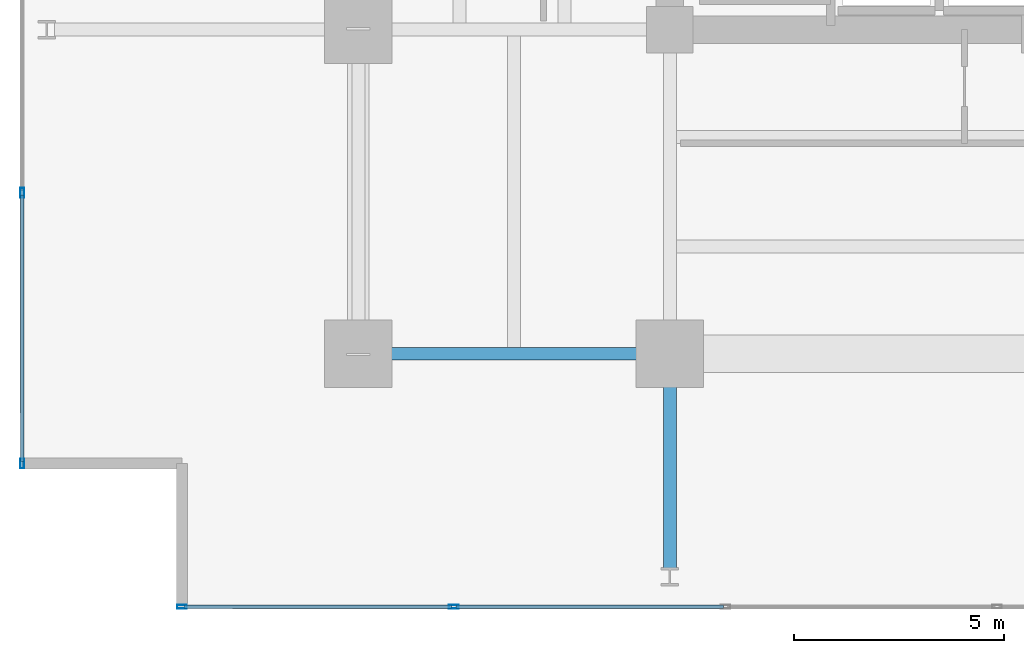
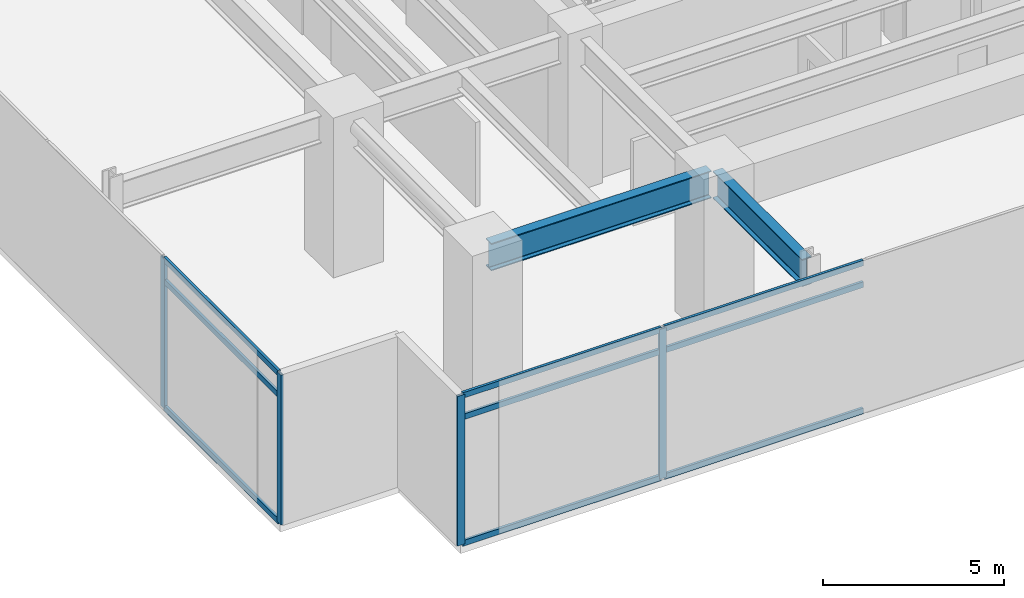
# One storey, part 2 of 23: 13 members, 2 beams, 2 elements without a shape of their own.
"""IFC4 building model written with IfcOpenShell, lengths in metres."""

from ifc_helpers import new_model, si_unit, direction, frame, origin, origin_2d, place, context, subcontext, project, spatial, hollow_rectangle, i_section, extrude, material, material_profile, profile_set, type_object, element, aggregate, save


model = new_model("IFC4")

# Units and contexts
model_context = context("Model", 3, precision=1e-05, world=origin(), true_north=direction((0.0, 1.0)))
body_context = subcontext(model_context, "Body", "Model", "MODEL_VIEW")
ifc_project = project(units=[si_unit("LENGTHUNIT", "METRE"), si_unit("AREAUNIT", "SQUARE_METRE"), si_unit("VOLUMEUNIT", "CUBIC_METRE"), si_unit("PLANEANGLEUNIT", "RADIAN"), si_unit("MASSUNIT", "GRAM", prefix="KILO")], contexts=[model_context])

# Site, building, storey
site_placement = place(None, origin())
site = spatial("IfcSite", under=ifc_project, at=site_placement, CompositionType="ELEMENT")
building_placement = place(site_placement, origin())
building = spatial("IfcBuilding", under=site, at=building_placement, Name="Kovane Verandah Tower", CompositionType="ELEMENT")
storey_placement = place(building_placement, frame((0.0, 0.0, 107.60009765625)))
storey = spatial("IfcBuildingStorey", under=building, at=storey_placement, Name="L25", CompositionType="ELEMENT", Elevation=107.60009765625)

# Beams
ifc_material_1 = material(Name="Steel S460", Category="steel")
ifc_material_profile_1 = material_profile(ifc_material_1, i_section(OverallWidth=0.3076171875, OverallDepth=0.926513671875, WebThickness=0.01953125, FlangeThickness=0.031982421875, FilletRadius=0.01904296875, at=origin_2d()), Name="UB914x305x289")
ifc_profile_set_1 = profile_set([ifc_material_profile_1], Name="Steel S460")
beam_type = type_object("IfcBeamType", Name="BM-UB914x289", PredefinedType="BEAM", material=ifc_profile_set_1)
beam_1_placement = place(storey_placement, frame((21.780029296875, 10.800048828125, 4.63671875), z_axis=(1.0, 0.0, 0.0), x_axis=(0.0, 1.0, 0.0)))
element("IfcBeam", 1, at=beam_1_placement, inside=storey, type_object=beam_type, Name="L25 Primary Tower Girder G-RS1", PredefinedType="BEAM", context=body_context, shape_type="SweptSolid", body=[
    extrude(i_section(OverallWidth=0.3076171875, OverallDepth=0.926513671875, WebThickness=0.01953125, FlangeThickness=0.031982421875, FilletRadius=0.01904296875, at=origin_2d()), origin(), (0.0, 0.0, 1.0), 7.0400390625),
])
beam_2_placement = place(storey_placement, frame((29.0, 10.6201171875, 4.63671875), z_axis=(0.0, -1.0, 0.0), x_axis=(1.0, 0.0, 0.0)))
element("IfcBeam", 2, at=beam_2_placement, inside=storey, type_object=beam_type, Name="L25 Primary Tower Girder G-VS1", PredefinedType="BEAM", context=body_context, shape_type="SweptSolid", body=[
    extrude(i_section(OverallWidth=0.3076171875, OverallDepth=0.926513671875, WebThickness=0.01953125, FlangeThickness=0.031982421875, FilletRadius=0.01904296875, at=origin_2d()), origin(), (0.0, 0.0, 1.0), 4.940185546875),
])

# Curtain wall, members
ifc_material_2 = material(Name="Champagne Anodised Aluminium Frame with Low-E Clear Laminated Glass", Category="aluminium")
curtain_wall_type = type_object("IfcCurtainWallType", Name="CW-SYS-02-LOW", PredefinedType="NOTDEFINED", material=ifc_material_2)
curtain_wall_1_placement = place(storey_placement, origin())
curtain_wall_1 = element("IfcCurtainWall", 3, at=curtain_wall_1_placement, inside=storey, type_object=curtain_wall_type, Name="L25 S Unitised Curtain Wall", PredefinedType="NOTDEFINED")
ifc_material_3 = material(Name="Champagne Anodised Aluminium 6063-T6", Category="aluminium")
ifc_material_profile_2 = material_profile(ifc_material_3, hollow_rectangle(XDim=0.0849609375, YDim=0.22998046875, WallThickness=0.00390625, at=origin_2d()), Name="AL85x230x4")
ifc_profile_set_2 = profile_set([ifc_material_profile_2], Name="Champagne Anodised Aluminium 6063-T6")
member_type_1 = type_object("IfcMemberType", Name="CW-MUL-85x230", PredefinedType="MULLION", material=ifc_profile_set_2)
member_1_placement = place(storey_placement, frame((17.4130859375, 4.7890625, 0.02001953125), z_axis=(0.0, 0.0, 1.0), x_axis=(0.0, -1.0, 0.0)))
member_1 = element("IfcMember", 4, at=member_1_placement, type_object=member_type_1, Name="L25 S Unitised Curtain Wall Mullion 1", PredefinedType="MULLION", context=body_context, shape_type="SweptSolid", body=[
    extrude(hollow_rectangle(XDim=0.0849609375, YDim=0.22998046875, WallThickness=0.00390625, at=origin_2d()), origin(), (0.0, 0.0, 1.0), 5.059814453125),
])
member_2_placement = place(storey_placement, frame((23.866455078125, 4.7890625, 0.02001953125), z_axis=(0.0, 0.0, 1.0), x_axis=(0.0, -1.0, 0.0)))
member_2 = element("IfcMember", 5, at=member_2_placement, type_object=member_type_1, Name="L25 S Unitised Curtain Wall Mullion 2", PredefinedType="MULLION", context=body_context, shape_type="SweptSolid", body=[
    extrude(hollow_rectangle(XDim=0.0849609375, YDim=0.22998046875, WallThickness=0.00390625, at=origin_2d()), origin(), (0.0, 0.0, 1.0), 5.059814453125),
])

curtain_wall_2_placement = place(storey_placement, origin())
curtain_wall_2 = element("IfcCurtainWall", 6, at=curtain_wall_2_placement, inside=storey, type_object=curtain_wall_type, Name="L25 W Unitised Curtain Wall", PredefinedType="NOTDEFINED")
member_3_placement = place(storey_placement, frame((13.613037109375, 14.626220703125, 0.02001953125), z_axis=(0.0, 0.0, 1.0), x_axis=(-1.0, 0.0, 0.0)))
member_3 = element("IfcMember", 7, at=member_3_placement, type_object=member_type_1, Name="L25 W Unitised Curtain Wall Mullion 6", PredefinedType="MULLION", context=body_context, shape_type="SweptSolid", body=[
    extrude(hollow_rectangle(XDim=0.0849609375, YDim=0.22998046875, WallThickness=0.00390625, at=origin_2d()), origin(), (0.0, 0.0, 1.0), 5.059814453125),
])
member_4_placement = place(storey_placement, frame((13.613037109375, 8.189208984375, 0.02001953125), z_axis=(0.0, 0.0, 1.0), x_axis=(-1.0, 0.0, 0.0)))
member_4 = element("IfcMember", 8, at=member_4_placement, type_object=member_type_1, Name="L25 W Unitised Curtain Wall Mullion 7", PredefinedType="MULLION", context=body_context, shape_type="SweptSolid", body=[
    extrude(hollow_rectangle(XDim=0.0849609375, YDim=0.22998046875, WallThickness=0.00390625, at=origin_2d()), origin(), (0.0, 0.0, 1.0), 5.059814453125),
])

# Member
ifc_material_profile_3 = material_profile(ifc_material_3, hollow_rectangle(XDim=0.0849609375, YDim=0.18994140625, WallThickness=0.00390625, at=origin_2d()), Name="AL85x190x4")
ifc_profile_set_3 = profile_set([ifc_material_profile_3], Name="Champagne Anodised Aluminium 6063-T6")
member_type_2 = type_object("IfcMemberType", Name="CW-TRN-85x190", PredefinedType="USERDEFINED", material=ifc_profile_set_3)
member_5_placement = place(storey_placement, frame((17.462890625, 4.7890625, 0.0498046875), z_axis=(1.0, 0.0, 0.0), x_axis=(0.0, 1.0, 0.0)))
member_5 = element("IfcMember", 9, at=member_5_placement, type_object=member_type_2, Name="L25 S Unitised Curtain Wall Transom TB Bay 1", ObjectType="TRANSOM", PredefinedType="USERDEFINED", context=body_context, shape_type="SweptSolid", body=[
    extrude(hollow_rectangle(XDim=0.0849609375, YDim=0.18994140625, WallThickness=0.00390625, at=origin_2d()), origin(), (0.0, 0.0, 1.0), 6.353515625),
])

member_6_placement = place(storey_placement, frame((17.462890625, 4.7890625, 4.31982421875), z_axis=(1.0, 0.0, 0.0), x_axis=(0.0, 1.0, 0.0)))
member_6 = element("IfcMember", 10, at=member_6_placement, type_object=member_type_2, Name="L25 S Unitised Curtain Wall Transom TM Bay 1", ObjectType="TRANSOM", PredefinedType="USERDEFINED", context=body_context, shape_type="SweptSolid", body=[
    extrude(hollow_rectangle(XDim=0.0849609375, YDim=0.18994140625, WallThickness=0.00390625, at=origin_2d()), origin(), (0.0, 0.0, 1.0), 6.353515625),
])

member_7_placement = place(storey_placement, frame((17.462890625, 4.7890625, 5.0498046875), z_axis=(1.0, 0.0, 0.0), x_axis=(0.0, 1.0, 0.0)))
member_7 = element("IfcMember", 11, at=member_7_placement, type_object=member_type_2, Name="L25 S Unitised Curtain Wall Transom TT Bay 1", ObjectType="TRANSOM", PredefinedType="USERDEFINED", context=body_context, shape_type="SweptSolid", body=[
    extrude(hollow_rectangle(XDim=0.0849609375, YDim=0.18994140625, WallThickness=0.00390625, at=origin_2d()), origin(), (0.0, 0.0, 1.0), 6.353515625),
])

member_8_placement = place(storey_placement, frame((23.91650390625, 4.7890625, 0.0498046875), z_axis=(1.0, 0.0, 0.0), x_axis=(0.0, 1.0, 0.0)))
member_8 = element("IfcMember", 12, at=member_8_placement, type_object=member_type_2, Name="L25 S Unitised Curtain Wall Transom TB Bay 2", ObjectType="TRANSOM", PredefinedType="USERDEFINED", context=body_context, shape_type="SweptSolid", body=[
    extrude(hollow_rectangle(XDim=0.0849609375, YDim=0.18994140625, WallThickness=0.00390625, at=origin_2d()), origin(), (0.0, 0.0, 1.0), 6.353515625),
])

member_9_placement = place(storey_placement, frame((23.91650390625, 4.7890625, 4.31982421875), z_axis=(1.0, 0.0, 0.0), x_axis=(0.0, 1.0, 0.0)))
member_9 = element("IfcMember", 13, at=member_9_placement, type_object=member_type_2, Name="L25 S Unitised Curtain Wall Transom TM Bay 2", ObjectType="TRANSOM", PredefinedType="USERDEFINED", context=body_context, shape_type="SweptSolid", body=[
    extrude(hollow_rectangle(XDim=0.0849609375, YDim=0.18994140625, WallThickness=0.00390625, at=origin_2d()), origin(), (0.0, 0.0, 1.0), 6.353515625),
])

member_10_placement = place(storey_placement, frame((23.91650390625, 4.7890625, 5.0498046875), z_axis=(1.0, 0.0, 0.0), x_axis=(0.0, 1.0, 0.0)))
member_10 = element("IfcMember", 14, at=member_10_placement, type_object=member_type_2, Name="L25 S Unitised Curtain Wall Transom TT Bay 2", ObjectType="TRANSOM", PredefinedType="USERDEFINED", context=body_context, shape_type="SweptSolid", body=[
    extrude(hollow_rectangle(XDim=0.0849609375, YDim=0.18994140625, WallThickness=0.00390625, at=origin_2d()), origin(), (0.0, 0.0, 1.0), 6.353515625),
])

aggregate(curtain_wall_1, [member_1, member_2, member_5, member_6, member_7, member_8, member_9, member_10])

member_11_placement = place(storey_placement, frame((13.613037109375, 14.576171875, 0.0498046875), z_axis=(0.0, -1.0, 0.0), x_axis=(1.0, 0.0, 0.0)))
member_11 = element("IfcMember", 15, at=member_11_placement, type_object=member_type_2, Name="L25 W Unitised Curtain Wall Transom TB Bay 6", ObjectType="TRANSOM", PredefinedType="USERDEFINED", context=body_context, shape_type="SweptSolid", body=[
    extrude(hollow_rectangle(XDim=0.0849609375, YDim=0.18994140625, WallThickness=0.00390625, at=origin_2d()), origin(), (0.0, 0.0, 1.0), 6.337158203125),
])

member_12_placement = place(storey_placement, frame((13.613037109375, 14.576171875, 4.31982421875), z_axis=(0.0, -1.0, 0.0), x_axis=(1.0, 0.0, 0.0)))
member_12 = element("IfcMember", 16, at=member_12_placement, type_object=member_type_2, Name="L25 W Unitised Curtain Wall Transom TM Bay 6", ObjectType="TRANSOM", PredefinedType="USERDEFINED", context=body_context, shape_type="SweptSolid", body=[
    extrude(hollow_rectangle(XDim=0.0849609375, YDim=0.18994140625, WallThickness=0.00390625, at=origin_2d()), origin(), (0.0, 0.0, 1.0), 6.337158203125),
])

member_13_placement = place(storey_placement, frame((13.613037109375, 14.576171875, 5.0498046875), z_axis=(0.0, -1.0, 0.0), x_axis=(1.0, 0.0, 0.0)))
member_13 = element("IfcMember", 17, at=member_13_placement, type_object=member_type_2, Name="L25 W Unitised Curtain Wall Transom TT Bay 6", ObjectType="TRANSOM", PredefinedType="USERDEFINED", context=body_context, shape_type="SweptSolid", body=[
    extrude(hollow_rectangle(XDim=0.0849609375, YDim=0.18994140625, WallThickness=0.00390625, at=origin_2d()), origin(), (0.0, 0.0, 1.0), 6.337158203125),
])

aggregate(curtain_wall_2, [member_3, member_4, member_11, member_12, member_13])

save(model, "model.ifc")
